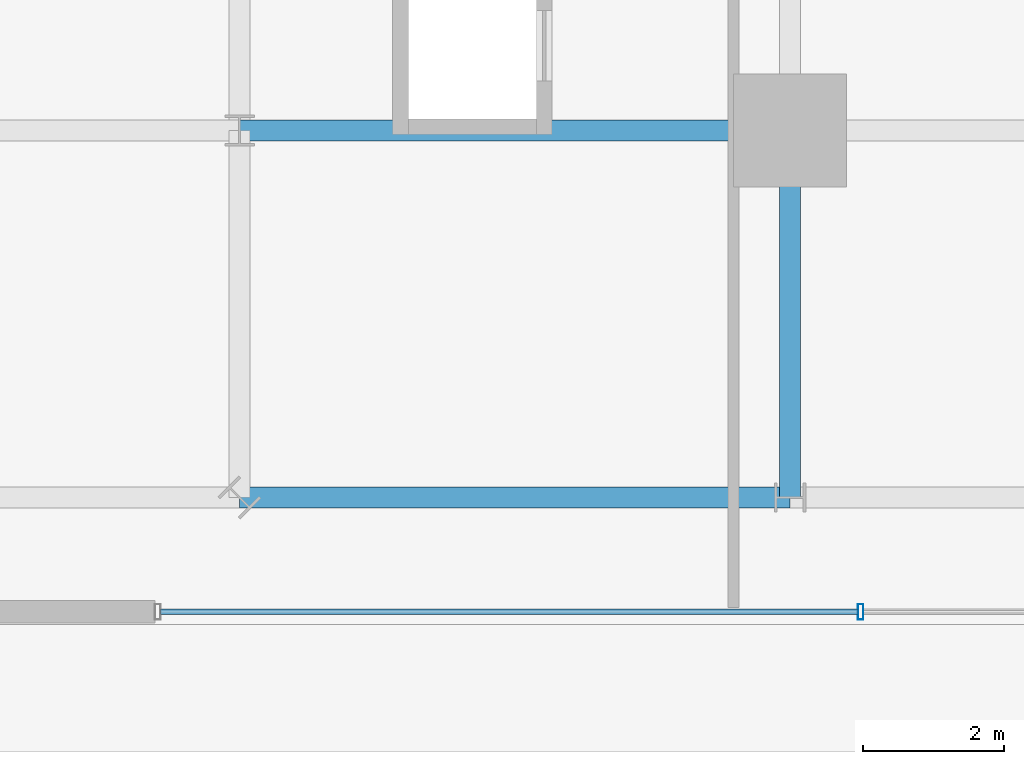
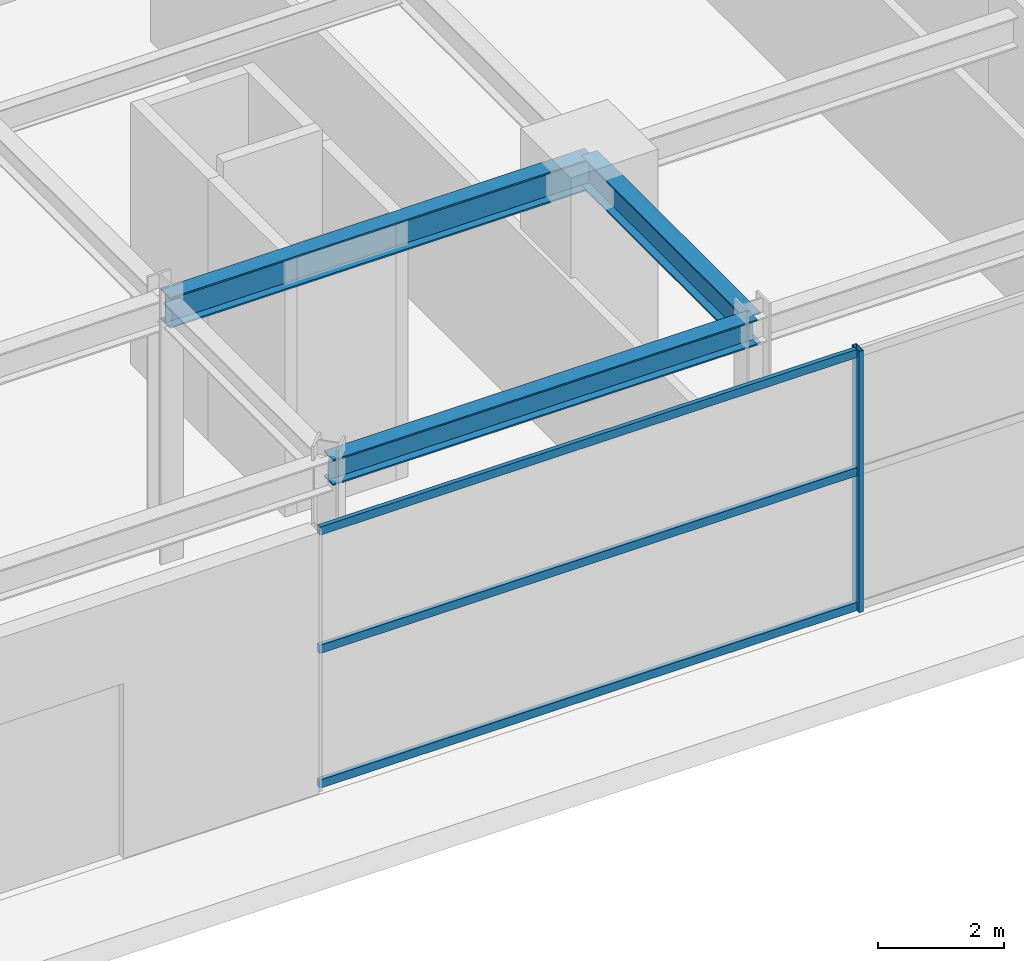
# One storey, part 5 of 29: 4 members, 3 beams, 1 element without a shape of its own.
"""IFC4 building model written with IfcOpenShell, lengths in metres."""

from ifc_helpers import new_model, si_unit, direction, frame, origin, origin_2d, place, context, subcontext, project, spatial, hollow_rectangle, i_section, extrude, source, transform, mapped, material, material_profile, profile_set, type_object, element, aggregate, save


model = new_model("IFC4")

# Units and contexts
model_context = context("Model", 3, precision=1e-05, world=origin(), true_north=direction((0.0, 1.0)))
body_context = subcontext(model_context, "Body", "Model", "MODEL_VIEW")
ifc_project = project(units=[si_unit("LENGTHUNIT", "METRE"), si_unit("AREAUNIT", "SQUARE_METRE"), si_unit("VOLUMEUNIT", "CUBIC_METRE"), si_unit("PLANEANGLEUNIT", "RADIAN"), si_unit("MASSUNIT", "GRAM", prefix="KILO")], contexts=[model_context])

# Site, building, storey
site_placement = place(None, origin())
site = spatial("IfcSite", under=ifc_project, at=site_placement, CompositionType="ELEMENT")
building_placement = place(site_placement, origin())
building = spatial("IfcBuilding", under=site, at=building_placement, Name="Nahalor Promenade Grand Hotel", CompositionType="ELEMENT")
storey_placement = place(building_placement, origin())
storey = spatial("IfcBuildingStorey", under=building, at=storey_placement, Name="L00", CompositionType="ELEMENT", Elevation=0.0)

# Beams
ifc_material_1 = material(Name="Steel S355JR", Category="steel")
ifc_material_profile_1 = material_profile(ifc_material_1, i_section(OverallWidth=0.3, OverallDepth=0.6, WebThickness=0.0155, FlangeThickness=0.03, at=origin_2d()), Name="HEB 600")
ifc_profile_set_1 = profile_set([ifc_material_profile_1], Name="Steel S355JR")
beam_type_1 = type_object("IfcBeamType", Name="Beam-Girder-HEB600", PredefinedType="BEAM", material=ifc_profile_set_1)
shared_shape_1 = source(origin(), body_context, "Body", "SweptSolid", [
    extrude(i_section(OverallWidth=0.3, OverallDepth=0.6, WebThickness=0.0155, FlangeThickness=0.03, at=origin_2d()), origin(), (0.0, 0.0, 1.0), 7.800048828125),
])
beam_1_placement = place(storey_placement, frame((-24.800048828125, -17.0, 4.780029296875), z_axis=(1.0, 0.0, 0.0), x_axis=(0.0, 1.0, 0.0)))
element("IfcBeam", 1, at=beam_1_placement, inside=storey, type_object=beam_type_1, Name="BM-L00-GX-0-1", PredefinedType="BEAM", context=body_context, shape_type="MappedRepresentation", body=[
    mapped(shared_shape_1, transform((0.0, 0.0, 0.0), scale=1.0)),
])
shared_shape_2 = source(origin(), body_context, "Body", "SweptSolid", [
    extrude(i_section(OverallWidth=0.3, OverallDepth=0.6, WebThickness=0.0155, FlangeThickness=0.03, at=origin_2d()), origin(), (0.0, 0.0, 1.0), 5.199951171875),
])
beam_2_placement = place(storey_placement, frame((-17.0, -22.199951171875, 4.780029296875), z_axis=(0.0, 1.0, 0.0), x_axis=(-1.0, 0.0, 0.0)))
element("IfcBeam", 2, at=beam_2_placement, inside=storey, type_object=beam_type_1, Name="BM-L00-GY-0-0", PredefinedType="BEAM", context=body_context, shape_type="MappedRepresentation", body=[
    mapped(shared_shape_2, transform((0.0, 0.0, 0.0), scale=1.0)),
])
ifc_material_profile_2 = material_profile(ifc_material_1, i_section(OverallWidth=0.3, OverallDepth=0.5, WebThickness=0.0145, FlangeThickness=0.028, at=origin_2d()), Name="HEB 500")
ifc_profile_set_2 = profile_set([ifc_material_profile_2], Name="Steel S355JR")
beam_type_2 = type_object("IfcBeamType", Name="Beam-Spandrel-HEB500", PredefinedType="SPANDREL", material=ifc_profile_set_2)
shared_shape_3 = source(origin(), body_context, "Body", "SweptSolid", [
    extrude(i_section(OverallWidth=0.3, OverallDepth=0.5, WebThickness=0.0145, FlangeThickness=0.028, at=origin_2d()), origin(), (0.0, 0.0, 1.0), 7.800048828125),
])
beam_3_placement = place(storey_placement, frame((-17.0, -22.199951171875, 4.830078125), z_axis=(-1.0, 0.0, 0.0), x_axis=(0.0, -1.0, 0.0)))
element("IfcBeam", 3, at=beam_3_placement, inside=storey, type_object=beam_type_2, Name="BM-L00-SPC-SW-1", PredefinedType="SPANDREL", context=body_context, shape_type="MappedRepresentation", body=[
    mapped(shared_shape_3, transform((0.0, 0.0, 0.0), scale=1.0)),
])

# Curtain wall, members
ifc_material_2 = material(Name="Anodised Bronze Aluminium EN AW-6063 T6", Category="aluminium")
curtain_wall_type = type_object("IfcCurtainWallType", Name="CW1 Waterfront Podium Bronze Arcade Curtain Wall", PredefinedType="USERDEFINED", material=ifc_material_2)
curtain_wall_placement = place(storey_placement, origin())
curtain_wall = element("IfcCurtainWall", 4, at=curtain_wall_placement, inside=storey, type_object=curtain_wall_type, Name="L00 Curtain Wall CW-L00-S-MID", ObjectType="UNITISED_CURTAIN_WALL", PredefinedType="USERDEFINED")
ifc_material_profile_3 = material_profile(ifc_material_2, hollow_rectangle(XDim=0.08, YDim=0.22, WallThickness=0.005, at=origin_2d()), Name="CWM 80x220x5")
ifc_profile_set_3 = profile_set([ifc_material_profile_3], Name="Anodised Bronze Aluminium EN AW-6063 T6")
member_type_1 = type_object("IfcMemberType", Name="CWM1 Podium Bronze Mullion 80x220", PredefinedType="MULLION", material=ifc_profile_set_3)
shared_shape_4 = source(origin(), body_context, "Body", "SweptSolid", [
    extrude(hollow_rectangle(XDim=0.08, YDim=0.22, WallThickness=0.005, at=origin_2d()), origin(), (0.0, 0.0, 1.0), 5.080078125),
])
member_1_placement = place(storey_placement, frame((-16.0, -23.820068359375, 0.0), z_axis=(0.0, 0.0, 1.0), x_axis=(1.0, 0.0, 0.0)))
member_1 = element("IfcMember", 5, at=member_1_placement, type_object=member_type_1, Name="CW-L00-S-MID Mullion 1", PredefinedType="MULLION", context=body_context, shape_type="MappedRepresentation", body=[
    mapped(shared_shape_4, transform((0.0, 0.0, 0.0), scale=1.0)),
])
ifc_material_profile_4 = material_profile(ifc_material_2, hollow_rectangle(XDim=0.08, YDim=0.16, WallThickness=0.004, at=origin_2d()), Name="CWT 80x160x4")
ifc_profile_set_4 = profile_set([ifc_material_profile_4], Name="Anodised Bronze Aluminium EN AW-6063 T6")
member_type_2 = type_object("IfcMemberType", Name="CWT1 Podium Bronze Transom 80x160", PredefinedType="USERDEFINED", material=ifc_profile_set_4)
shared_shape_5 = source(origin(), body_context, "Body", "SweptSolid", [
    extrude(hollow_rectangle(XDim=0.08, YDim=0.16, WallThickness=0.004, at=origin_2d()), origin(), (0.0, 0.0, 1.0), 9.8798828125),
])
member_2_placement = place(storey_placement, frame((-25.919921875, -23.820068359375, 0.080078125), z_axis=(1.0, 0.0, 0.0), x_axis=(0.0, 1.0, 0.0)))
member_2 = element("IfcMember", 6, at=member_2_placement, type_object=member_type_2, Name="CW-L00-S-MID Transom 0-0", ObjectType="TRANSOM", PredefinedType="USERDEFINED", context=body_context, shape_type="MappedRepresentation", body=[
    mapped(shared_shape_5, transform((0.0, 0.0, 0.0), scale=1.0)),
])
member_3_placement = place(storey_placement, frame((-25.919921875, -23.820068359375, 2.699951171875), z_axis=(1.0, 0.0, 0.0), x_axis=(0.0, 1.0, 0.0)))
member_3 = element("IfcMember", 7, at=member_3_placement, type_object=member_type_2, Name="CW-L00-S-MID Transom 0-1", ObjectType="TRANSOM", PredefinedType="USERDEFINED", context=body_context, shape_type="MappedRepresentation", body=[
    mapped(shared_shape_5, transform((0.0, 0.0, 0.0), scale=1.0)),
])
member_4_placement = place(storey_placement, frame((-25.919921875, -23.820068359375, 5.0), z_axis=(1.0, 0.0, 0.0), x_axis=(0.0, 1.0, 0.0)))
member_4 = element("IfcMember", 8, at=member_4_placement, type_object=member_type_2, Name="CW-L00-S-MID Transom 0-2", ObjectType="TRANSOM", PredefinedType="USERDEFINED", context=body_context, shape_type="MappedRepresentation", body=[
    mapped(shared_shape_5, transform((0.0, 0.0, 0.0), scale=1.0)),
])
aggregate(curtain_wall, [member_1, member_2, member_3, member_4])

save(model, "model.ifc")
